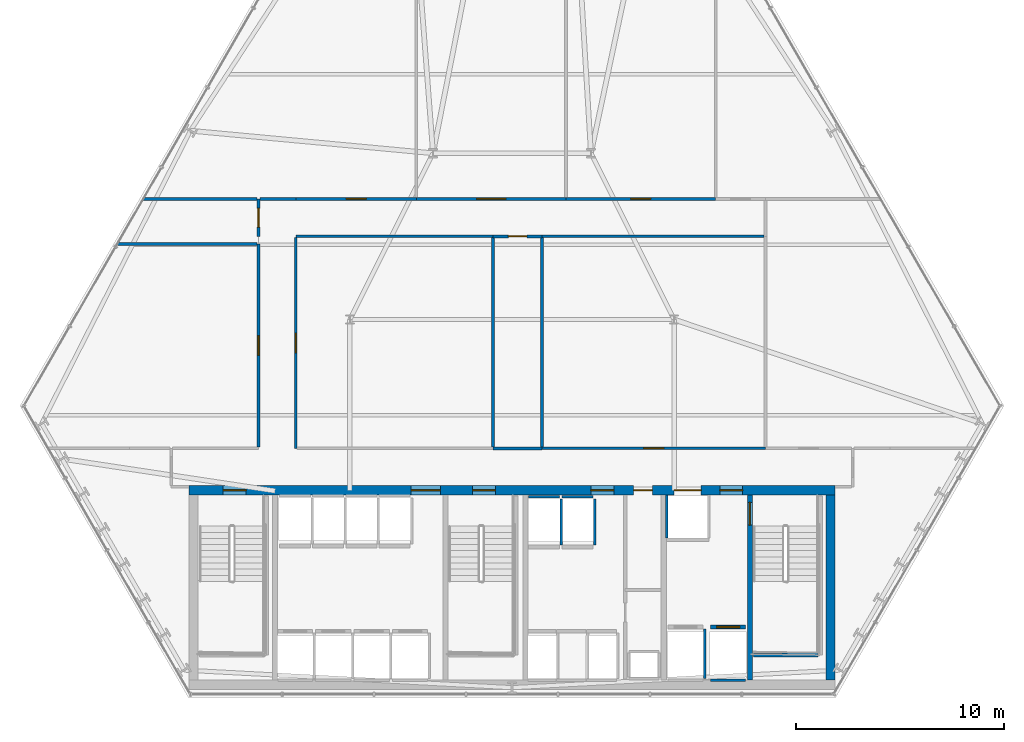
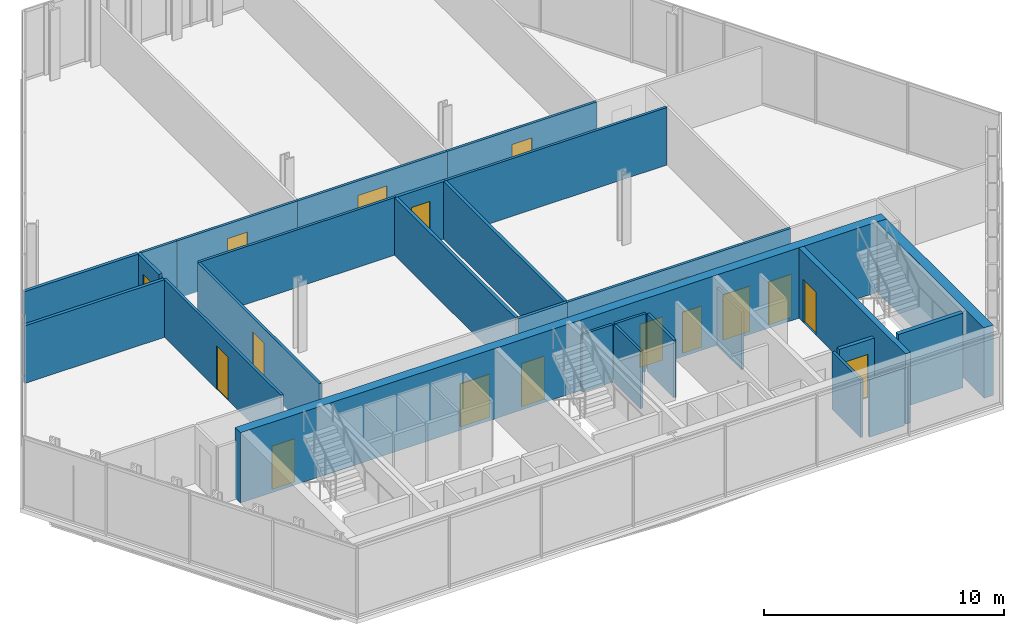
# One storey, part 28 of 32: 28 walls, 17 doors, 17 openings.
"""IFC4 building model written with IfcOpenShell, lengths in metres."""

from ifc_helpers import new_model, si_unit, direction, frame, frame_2d, origin, place, context, subcontext, project, spatial, rectangle, extrude, material, layer, layer_set, type_object, element, fill, save


model = new_model("IFC4")

# Units and contexts
model_context = context("Model", 3, precision=1e-05, world=origin(), true_north=direction((0.0, 1.0)))
body_context = subcontext(model_context, "Body", "Model", "MODEL_VIEW")
ifc_project = project(units=[si_unit("LENGTHUNIT", "METRE"), si_unit("AREAUNIT", "SQUARE_METRE"), si_unit("VOLUMEUNIT", "CUBIC_METRE"), si_unit("PLANEANGLEUNIT", "RADIAN"), si_unit("MASSUNIT", "GRAM", prefix="KILO")], contexts=[model_context])

# Site, building, storey
site_placement = place(None, origin())
site = spatial("IfcSite", under=ifc_project, at=site_placement, CompositionType="ELEMENT")
building_placement = place(site_placement, origin())
building = spatial("IfcBuilding", under=site, at=building_placement, Name="Ndaravel Arena Tower", CompositionType="ELEMENT")
storey_placement = place(building_placement, frame((0.0, 0.0, 51.199951171875)))
storey = spatial("IfcBuildingStorey", under=building, at=storey_placement, Name="L10", CompositionType="ELEMENT", Elevation=51.199951171875)

# Wall, opening, door
ifc_material_1 = material(Name="Concrete C60/75", Category="concrete")
ifc_layer_1 = layer(ifc_material_1, 0.25)
ifc_layer_set_1 = layer_set([ifc_layer_1], Name="Concrete C60/75")
wall_type_1 = type_object("IfcWallType", Name="WALL-CORE-250", PredefinedType="SOLIDWALL", material=ifc_layer_set_1)
wall_1_placement = place(storey_placement, frame((53.449951171875, 5.85009765625, 0.0), z_axis=(0.0, 0.0, 1.0), x_axis=(0.0, 1.0, 0.0)))
wall_1 = element("IfcWall", 1, at=wall_1_placement, inside=storey, type_object=wall_type_1, Name="L10 Core Web Shear Wall 5", PredefinedType="SOLIDWALL", context=body_context, shape_type="SweptSolid", body=[
    extrude(rectangle(XDim=8.89990234375, YDim=0.25, at=frame_2d((4.449951171875, 0.0))), origin(), (0.0, 0.0, 1.0), 3.580078125),
])
opening_1_placement = place(wall_1_placement, frame((7.449951171875, 0.0, 0.0)))
opening_1 = element("IfcOpeningElement", 2, at=opening_1_placement, cuts=wall_1, Name="Opening FD-01", PredefinedType="OPENING", context=body_context, shape_type="SweptSolid", body=[
    extrude(rectangle(XDim=1.10009765625, YDim=2.199951171875, at=frame_2d((0.550048828125, 1.10009765625))), frame((0.0, 0.125, 0.0), z_axis=(0.0, -1.0, 0.0), x_axis=(1.0, 0.0, 0.0)), (0.0, 0.0, 1.0), 0.25),
])
ifc_material_2 = material(Name="Steel S355", Category="steel")
door_type_1 = type_object("IfcDoorType", Name="DT-01-STAIR-1100", OperationType="SINGLE_SWING_LEFT", PredefinedType="DOOR", material=ifc_material_2)
door_1_placement = place(opening_1_placement, origin())
door_1 = element("IfcDoor", 3, at=door_1_placement, inside=storey, type_object=door_type_1, Name="L10 Firefighting Lobby to ST-3 Door", OperationType="SINGLE_SWING_LEFT", OverallHeight=2.199951171875, OverallWidth=1.10009765625, PredefinedType="DOOR", context=body_context, shape_type="SweptSolid", body=[
    extrude(rectangle(XDim=1.10009765625, YDim=2.199951171875, at=frame_2d((0.550048828125, 1.10009765625))), frame((0.0, 0.02490234375, 0.0), z_axis=(0.0, -1.0, 0.0), x_axis=(1.0, 0.0, 0.0)), (0.0, 0.0, 1.0), 0.050048828125),
])
fill(opening_1, door_1)

# Wall, openings, doors
ifc_material_3 = material(Name="Concrete C60/75", Category="concrete")
ifc_layer_2 = layer(ifc_material_3, 0.449951171875)
ifc_layer_set_2 = layer_set([ifc_layer_2], Name="Concrete C60/75")
wall_type_2 = type_object("IfcWallType", Name="WALL-CORE-450", PredefinedType="SOLIDWALL", material=ifc_layer_set_2)
wall_2_placement = place(storey_placement, frame((26.449951171875, 14.97509765625, 0.0), z_axis=(0.0, 0.0, 1.0), x_axis=(1.0, 0.0, 0.0)))
wall_2 = element("IfcWall", 4, at=wall_2_placement, inside=storey, type_object=wall_type_2, Name="L10 Core North Shear Wall", PredefinedType="SOLIDWALL", context=body_context, shape_type="SweptSolid", body=[
    extrude(rectangle(XDim=31.10009765625, YDim=0.449951171875, at=frame_2d((15.550048828125, 0.0))), origin(), (0.0, 0.0, 1.0), 3.580078125),
])
opening_2_placement = place(wall_2_placement, frame((1.64990234375, 0.0, 0.0)))
opening_2 = element("IfcOpeningElement", 5, at=opening_2_placement, cuts=wall_2, Name="Opening FD-01", PredefinedType="OPENING", context=body_context, shape_type="SweptSolid", body=[
    extrude(rectangle(XDim=1.10009765625, YDim=2.199951171875, at=frame_2d((0.550048828125, 1.10009765625))), frame((0.0, 0.22509765625, 0.0), z_axis=(0.0, -1.0, 0.0), x_axis=(1.0, 0.0, 0.0)), (0.0, 0.0, 1.0), 0.449951171875),
])
opening_3_placement = place(wall_2_placement, frame((13.64990234375, 0.0, 0.0)))
opening_3 = element("IfcOpeningElement", 6, at=opening_3_placement, cuts=wall_2, Name="Opening FD-01", PredefinedType="OPENING", context=body_context, shape_type="SweptSolid", body=[
    extrude(rectangle(XDim=1.10009765625, YDim=2.199951171875, at=frame_2d((0.550048828125, 1.10009765625))), frame((0.0, 0.22509765625, 0.0), z_axis=(0.0, -1.0, 0.0), x_axis=(1.0, 0.0, 0.0)), (0.0, 0.0, 1.0), 0.449951171875),
])
opening_4_placement = place(wall_2_placement, frame((25.550048828125, 0.0, 0.0)))
opening_4 = element("IfcOpeningElement", 7, at=opening_4_placement, cuts=wall_2, Name="Opening FD-01", PredefinedType="OPENING", context=body_context, shape_type="SweptSolid", body=[
    extrude(rectangle(XDim=1.10009765625, YDim=2.199951171875, at=frame_2d((0.550048828125, 1.10009765625))), frame((0.0, 0.22509765625, 0.0), z_axis=(0.0, -1.0, 0.0), x_axis=(1.0, 0.0, 0.0)), (0.0, 0.0, 1.0), 0.449951171875),
])
opening_5_placement = place(wall_2_placement, frame((10.699951171875, 0.0, 0.0)))
opening_5 = element("IfcOpeningElement", 8, at=opening_5_placement, cuts=wall_2, Name="Opening ID-02", PredefinedType="OPENING", context=body_context, shape_type="SweptSolid", body=[
    extrude(rectangle(XDim=1.39990234375, YDim=2.199951171875, at=frame_2d((0.699951171875, 1.10009765625))), frame((0.0, 0.22509765625, 0.0), z_axis=(0.0, -1.0, 0.0), x_axis=(1.0, 0.0, 0.0)), (0.0, 0.0, 1.0), 0.449951171875),
])
opening_6_placement = place(wall_2_placement, frame((19.35009765625, 0.0, 0.0)))
opening_6 = element("IfcOpeningElement", 9, at=opening_6_placement, cuts=wall_2, Name="Opening FD-01", PredefinedType="OPENING", context=body_context, shape_type="SweptSolid", body=[
    extrude(rectangle(XDim=1.10009765625, YDim=2.199951171875, at=frame_2d((0.550048828125, 1.10009765625))), frame((0.0, 0.22509765625, 0.0), z_axis=(0.0, -1.0, 0.0), x_axis=(1.0, 0.0, 0.0)), (0.0, 0.0, 1.0), 0.449951171875),
])
opening_7_placement = place(wall_2_placement, frame((21.39990234375, 0.0, 0.0)))
opening_7 = element("IfcOpeningElement", 10, at=opening_7_placement, cuts=wall_2, Name="Opening RD-01", PredefinedType="OPENING", context=body_context, shape_type="SweptSolid", body=[
    extrude(rectangle(XDim=0.89990234375, YDim=2.10009765625, at=frame_2d((0.449951171875, 1.050048828125))), frame((0.0, 0.22509765625, 0.0), z_axis=(0.0, -1.0, 0.0), x_axis=(1.0, 0.0, 0.0)), (0.0, 0.0, 1.0), 0.449951171875),
])
opening_8_placement = place(wall_2_placement, frame((23.35009765625, 0.0, 0.0)))
opening_8 = element("IfcOpeningElement", 11, at=opening_8_placement, cuts=wall_2, Name="Opening LD-02", PredefinedType="OPENING", context=body_context, shape_type="SweptSolid", body=[
    extrude(rectangle(XDim=1.300048828125, YDim=2.300048828125, at=frame_2d((0.64990234375, 1.14990234375))), frame((0.0, 0.22509765625, 0.0), z_axis=(0.0, -1.0, 0.0), x_axis=(1.0, 0.0, 0.0)), (0.0, 0.0, 1.0), 0.449951171875),
])
door_2_placement = place(opening_2_placement, origin())
door_2 = element("IfcDoor", 12, at=door_2_placement, inside=storey, type_object=door_type_1, Name="L10 Exit Stair ST-1 Door", OperationType="SINGLE_SWING_LEFT", OverallHeight=2.199951171875, OverallWidth=1.10009765625, PredefinedType="DOOR", context=body_context, shape_type="SweptSolid", body=[
    extrude(rectangle(XDim=1.10009765625, YDim=2.199951171875, at=frame_2d((0.550048828125, 1.10009765625))), frame((0.0, 0.02490234375, 0.0), z_axis=(0.0, -1.0, 0.0), x_axis=(1.0, 0.0, 0.0)), (0.0, 0.0, 1.0), 0.050048828125),
])
fill(opening_2, door_2)
door_3_placement = place(opening_3_placement, origin())
door_3 = element("IfcDoor", 13, at=door_3_placement, inside=storey, type_object=door_type_1, Name="L10 Exit Stair ST-2 Door", OperationType="SINGLE_SWING_RIGHT", OverallHeight=2.199951171875, OverallWidth=1.10009765625, PredefinedType="DOOR", context=body_context, shape_type="SweptSolid", body=[
    extrude(rectangle(XDim=1.10009765625, YDim=2.199951171875, at=frame_2d((0.550048828125, 1.10009765625))), frame((0.0, 0.02490234375, 0.0), z_axis=(0.0, -1.0, 0.0), x_axis=(1.0, 0.0, 0.0)), (0.0, 0.0, 1.0), 0.050048828125),
])
fill(opening_3, door_3)
door_4_placement = place(opening_4_placement, origin())
door_4 = element("IfcDoor", 14, at=door_4_placement, inside=storey, type_object=door_type_1, Name="L10 Firefighting Lift Lobby Door", OperationType="SINGLE_SWING_RIGHT", OverallHeight=2.199951171875, OverallWidth=1.10009765625, PredefinedType="DOOR", context=body_context, shape_type="SweptSolid", body=[
    extrude(rectangle(XDim=1.10009765625, YDim=2.199951171875, at=frame_2d((0.550048828125, 1.10009765625))), frame((0.0, 0.02490234375, 0.0), z_axis=(0.0, -1.0, 0.0), x_axis=(1.0, 0.0, 0.0)), (0.0, 0.0, 1.0), 0.050048828125),
])
fill(opening_4, door_4)
door_5_placement = place(opening_6_placement, origin())
door_5 = element("IfcDoor", 15, at=door_5_placement, inside=storey, type_object=door_type_1, Name="L10 Express Lift Lobby Entry Door", OperationType="SINGLE_SWING_LEFT", OverallHeight=2.199951171875, OverallWidth=1.10009765625, PredefinedType="DOOR", context=body_context, shape_type="SweptSolid", body=[
    extrude(rectangle(XDim=1.10009765625, YDim=2.199951171875, at=frame_2d((0.550048828125, 1.10009765625))), frame((0.0, 0.02490234375, 0.0), z_axis=(0.0, -1.0, 0.0), x_axis=(1.0, 0.0, 0.0)), (0.0, 0.0, 1.0), 0.050048828125),
])
fill(opening_6, door_5)
ifc_material_4 = material(Name="Timber", Category="wood")
door_type_2 = type_object("IfcDoorType", Name="DT-04-SUITE-1400", OperationType="DOUBLE_DOOR_SINGLE_SWING", PredefinedType="DOOR", material=ifc_material_4)
door_6_placement = place(opening_5_placement, origin())
door_6 = element("IfcDoor", 16, at=door_6_placement, inside=storey, type_object=door_type_2, Name="L10 West Lift Lobby Entry Door", OperationType="DOUBLE_DOOR_SINGLE_SWING", OverallHeight=2.199951171875, OverallWidth=1.39990234375, PredefinedType="DOOR", context=body_context, shape_type="SweptSolid", body=[
    extrude(rectangle(XDim=1.39990234375, YDim=2.199951171875, at=frame_2d((0.699951171875, 1.10009765625))), frame((0.0, 0.02490234375, 0.0), z_axis=(0.0, -1.0, 0.0), x_axis=(1.0, 0.0, 0.0)), (0.0, 0.0, 1.0), 0.050048828125),
])
fill(opening_5, door_6)
ifc_material_5 = material(Name="Steel S355", Category="steel")
door_type_3 = type_object("IfcDoorType", Name="DT-07-SVLIFT-1300", OperationType="DOUBLE_DOOR_SLIDING", PredefinedType="DOOR", material=ifc_material_5)
door_7_placement = place(opening_8_placement, origin())
door_7 = element("IfcDoor", 17, at=door_7_placement, inside=storey, type_object=door_type_3, Name="L10 Lift SVL-1 Sliding Landing Door", OperationType="DOUBLE_DOOR_SLIDING", OverallHeight=2.300048828125, OverallWidth=1.300048828125, PredefinedType="DOOR", context=body_context, shape_type="SweptSolid", body=[
    extrude(rectangle(XDim=1.300048828125, YDim=2.300048828125, at=frame_2d((0.64990234375, 1.14990234375))), frame((0.0, 0.02490234375, 0.0), z_axis=(0.0, -1.0, 0.0), x_axis=(1.0, 0.0, 0.0)), (0.0, 0.0, 1.0), 0.050048828125),
])
fill(opening_8, door_7)
ifc_material_6 = material(Name="Steel S355", Category="steel")
door_type_4 = type_object("IfcDoorType", Name="DT-08-RISER-900", OperationType="SINGLE_SWING_LEFT", PredefinedType="DOOR", material=ifc_material_6)
door_8_placement = place(opening_7_placement, origin())
door_8 = element("IfcDoor", 18, at=door_8_placement, inside=storey, type_object=door_type_4, Name="L10 Core Service Riser North Door", OperationType="SINGLE_SWING_LEFT", OverallHeight=2.10009765625, OverallWidth=0.89990234375, PredefinedType="DOOR", context=body_context, shape_type="SweptSolid", body=[
    extrude(rectangle(XDim=0.89990234375, YDim=2.10009765625, at=frame_2d((0.449951171875, 1.050048828125))), frame((0.0, 0.02490234375, 0.0), z_axis=(0.0, -1.0, 0.0), x_axis=(1.0, 0.0, 0.0)), (0.0, 0.0, 1.0), 0.050048828125),
])
fill(opening_7, door_8)

# Wall
wall_3_placement = place(storey_placement, frame((57.324951171875, 5.85009765625, 0.0), z_axis=(0.0, 0.0, 1.0), x_axis=(0.0, 1.0, 0.0)))
element("IfcWall", 19, at=wall_3_placement, inside=storey, type_object=wall_type_2, Name="L10 Core East Shear Wall", PredefinedType="SOLIDWALL", context=body_context, shape_type="SweptSolid", body=[
    extrude(rectangle(XDim=8.89990234375, YDim=0.449951171875, at=frame_2d((4.449951171875, 0.0))), origin(), (0.0, 0.0, 1.0), 3.580078125),
])

# Wall, opening, door
ifc_material_7 = material(Name="Gypsum", Category="gypsum")
ifc_layer_3 = layer(ifc_material_7, 0.125)
ifc_layer_set_3 = layer_set([ifc_layer_3], Name="Gypsum")
wall_type_3 = type_object("IfcWallType", Name="WALL-PART-125", PredefinedType="PARTITIONING", material=ifc_layer_set_3)
wall_4_placement = place(storey_placement, frame((29.800048828125, 17.06494140625, 0.0), z_axis=(0.0, 0.0, 1.0), x_axis=(0.0, 1.0, 0.0)))
wall_4 = element("IfcWall", 20, at=wall_4_placement, inside=storey, type_object=wall_type_3, Name="L10 Interior Partition 006", PredefinedType="PARTITIONING", context=body_context, shape_type="SweptSolid", body=[
    extrude(rectangle(XDim=9.775146484375, YDim=0.125, at=frame_2d((4.8876953125, 0.0))), origin(), (0.0, 0.0, 1.0), 2.932861328125),
])
opening_9_placement = place(wall_4_placement, frame((4.41259765625, 0.0, 0.0)))
opening_9 = element("IfcOpeningElement", 21, at=opening_9_placement, cuts=wall_4, Name="Opening ID-01", PredefinedType="OPENING", context=body_context, shape_type="SweptSolid", body=[
    extrude(rectangle(XDim=0.949951171875, YDim=2.199951171875, at=frame_2d((0.47509765625, 1.10009765625))), frame((0.0, 0.0625, 0.0), z_axis=(0.0, -1.0, 0.0), x_axis=(1.0, 0.0, 0.0)), (0.0, 0.0, 1.0), 0.125),
])
ifc_material_8 = material(Name="Timber", Category="wood")
door_type_5 = type_object("IfcDoorType", Name="DT-03-OFFICE-950", OperationType="SINGLE_SWING_LEFT", PredefinedType="DOOR", material=ifc_material_8)
door_9_placement = place(opening_9_placement, origin())
door_9 = element("IfcDoor", 22, at=door_9_placement, inside=storey, type_object=door_type_5, Name="L10 Quiet Reading Library Door", OperationType="SINGLE_SWING_LEFT", OverallHeight=2.199951171875, OverallWidth=0.949951171875, PredefinedType="DOOR", context=body_context, shape_type="SweptSolid", body=[
    extrude(rectangle(XDim=0.949951171875, YDim=2.199951171875, at=frame_2d((0.47509765625, 1.10009765625))), frame((0.0, 0.02490234375, 0.0), z_axis=(0.0, -1.0, 0.0), x_axis=(1.0, 0.0, 0.0)), (0.0, 0.0, 1.0), 0.050048828125),
])
fill(opening_9, door_9)

# Wall
wall_5_placement = place(storey_placement, frame((29.864990234375, 29.0, 0.0), z_axis=(0.0, 0.0, 1.0), x_axis=(1.0, 0.0, 0.0)))
element("IfcWall", 23, at=wall_5_placement, inside=storey, type_object=wall_type_3, Name="L10 Interior Partition 008", PredefinedType="PARTITIONING", context=body_context, shape_type="SweptSolid", body=[
    extrude(rectangle(XDim=1.735107421875, YDim=0.125, at=frame_2d((0.86767578125, 0.0))), origin(), (0.0, 0.0, 1.0), 2.932861328125),
])

# Wall, opening, door
wall_6_placement = place(storey_placement, frame((31.60009765625, 29.0, 0.0), z_axis=(0.0, 0.0, 1.0), x_axis=(1.0, 0.0, 0.0)))
wall_6 = element("IfcWall", 24, at=wall_6_placement, inside=storey, type_object=wall_type_3, Name="L10 Interior Partition 009", PredefinedType="PARTITIONING", context=body_context, shape_type="SweptSolid", body=[
    extrude(rectangle(XDim=5.7998046875, YDim=0.125, at=frame_2d((2.89990234375, 0.0))), origin(), (0.0, 0.0, 1.0), 2.932861328125),
])
opening_10_placement = place(wall_6_placement, frame((2.425048828125, 0.0, 0.0)))
opening_10 = element("IfcOpeningElement", 25, at=opening_10_placement, cuts=wall_6, Name="Opening ID-01", PredefinedType="OPENING", context=body_context, shape_type="SweptSolid", body=[
    extrude(rectangle(XDim=0.949951171875, YDim=2.199951171875, at=frame_2d((0.47509765625, 1.10009765625))), frame((0.0, 0.0625, 0.0), z_axis=(0.0, -1.0, 0.0), x_axis=(1.0, 0.0, 0.0)), (0.0, 0.0, 1.0), 0.125),
])
door_10_placement = place(opening_10_placement, origin())
door_10 = element("IfcDoor", 26, at=door_10_placement, inside=storey, type_object=door_type_5, Name="L10 Quiet Study Room 3 Door", OperationType="SINGLE_SWING_RIGHT", OverallHeight=2.199951171875, OverallWidth=0.949951171875, PredefinedType="DOOR", context=body_context, shape_type="SweptSolid", body=[
    extrude(rectangle(XDim=0.949951171875, YDim=2.199951171875, at=frame_2d((0.47509765625, 1.10009765625))), frame((0.0, 0.02490234375, 0.0), z_axis=(0.0, -1.0, 0.0), x_axis=(1.0, 0.0, 0.0)), (0.0, 0.0, 1.0), 0.050048828125),
])
fill(opening_10, door_10)

wall_7_placement = place(storey_placement, frame((37.39990234375, 29.0, 0.0), z_axis=(0.0, 0.0, 1.0), x_axis=(1.0, 0.0, 0.0)))
wall_7 = element("IfcWall", 27, at=wall_7_placement, inside=storey, type_object=wall_type_3, Name="L10 Interior Partition 010", PredefinedType="PARTITIONING", context=body_context, shape_type="SweptSolid", body=[
    extrude(rectangle(XDim=7.2001953125, YDim=0.125, at=frame_2d((3.60009765625, 0.0))), origin(), (0.0, 0.0, 1.0), 2.932861328125),
])
opening_11_placement = place(wall_7_placement, frame((2.89990234375, 0.0, 0.0)))
opening_11 = element("IfcOpeningElement", 28, at=opening_11_placement, cuts=wall_7, Name="Opening ID-02", PredefinedType="OPENING", context=body_context, shape_type="SweptSolid", body=[
    extrude(rectangle(XDim=1.39990234375, YDim=2.199951171875, at=frame_2d((0.699951171875, 1.10009765625))), frame((0.0, 0.0625, 0.0), z_axis=(0.0, -1.0, 0.0), x_axis=(1.0, 0.0, 0.0)), (0.0, 0.0, 1.0), 0.125),
])
door_11_placement = place(opening_11_placement, origin())
door_11 = element("IfcDoor", 29, at=door_11_placement, inside=storey, type_object=door_type_2, Name="L10 Executive Dining Lounge 4 Door", OperationType="SINGLE_SWING_RIGHT", OverallHeight=2.199951171875, OverallWidth=1.39990234375, PredefinedType="DOOR", context=body_context, shape_type="SweptSolid", body=[
    extrude(rectangle(XDim=1.39990234375, YDim=2.199951171875, at=frame_2d((0.699951171875, 1.10009765625))), frame((0.0, 0.02490234375, 0.0), z_axis=(0.0, -1.0, 0.0), x_axis=(1.0, 0.0, 0.0)), (0.0, 0.0, 1.0), 0.050048828125),
])
fill(opening_11, door_11)

wall_8_placement = place(storey_placement, frame((44.60009765625, 29.0, 0.0), z_axis=(0.0, 0.0, 1.0), x_axis=(1.0, 0.0, 0.0)))
wall_8 = element("IfcWall", 30, at=wall_8_placement, inside=storey, type_object=wall_type_3, Name="L10 Interior Partition 011", PredefinedType="PARTITIONING", context=body_context, shape_type="SweptSolid", body=[
    extrude(rectangle(XDim=7.199951171875, YDim=0.125, at=frame_2d((3.60009765625, 0.0))), origin(), (0.0, 0.0, 1.0), 2.932861328125),
])
opening_12_placement = place(wall_8_placement, frame((3.125, 0.0, 0.0)))
opening_12 = element("IfcOpeningElement", 31, at=opening_12_placement, cuts=wall_8, Name="Opening ID-01", PredefinedType="OPENING", context=body_context, shape_type="SweptSolid", body=[
    extrude(rectangle(XDim=0.949951171875, YDim=2.199951171875, at=frame_2d((0.47509765625, 1.10009765625))), frame((0.0, 0.0625, 0.0), z_axis=(0.0, -1.0, 0.0), x_axis=(1.0, 0.0, 0.0)), (0.0, 0.0, 1.0), 0.125),
])
door_12_placement = place(opening_12_placement, origin())
door_12 = element("IfcDoor", 32, at=door_12_placement, inside=storey, type_object=door_type_5, Name="L10 Executive Corner Office 4 Door", OperationType="SINGLE_SWING_LEFT", OverallHeight=2.199951171875, OverallWidth=0.949951171875, PredefinedType="DOOR", context=body_context, shape_type="SweptSolid", body=[
    extrude(rectangle(XDim=0.949951171875, YDim=2.199951171875, at=frame_2d((0.47509765625, 1.10009765625))), frame((0.0, 0.02490234375, 0.0), z_axis=(0.0, -1.0, 0.0), x_axis=(1.0, 0.0, 0.0)), (0.0, 0.0, 1.0), 0.050048828125),
])
fill(opening_12, door_12)

# Walls
wall_9_placement = place(storey_placement, frame((54.135009765625, 27.199951171875, 0.0), z_axis=(0.0, 0.0, 1.0), x_axis=(-1.0, 0.0, 0.0)))
element("IfcWall", 33, at=wall_9_placement, inside=storey, type_object=wall_type_3, Name="L10 Interior Partition 014", PredefinedType="PARTITIONING", context=body_context, shape_type="SweptSolid", body=[
    extrude(rectangle(XDim=10.68359375, YDim=0.125, at=frame_2d((5.341796875, 0.0))), origin(), (0.0, 0.0, 1.0), 2.932861328125),
])
wall_10_placement = place(storey_placement, frame((41.092041015625, 27.199951171875, 0.0), z_axis=(0.0, 0.0, 1.0), x_axis=(-1.0, 0.0, 0.0)))
element("IfcWall", 34, at=wall_10_placement, inside=storey, type_object=wall_type_3, Name="L10 Interior Partition 016", PredefinedType="PARTITIONING", context=body_context, shape_type="SweptSolid", body=[
    extrude(rectangle(XDim=9.491943359375, YDim=0.125, at=frame_2d((4.74609375, 0.0))), origin(), (0.0, 0.0, 1.0), 2.932861328125),
])

# Wall, opening, door
wall_11_placement = place(storey_placement, frame((31.60009765625, 27.135009765625, 0.0), z_axis=(0.0, 0.0, 1.0), x_axis=(0.0, -1.0, 0.0)))
wall_11 = element("IfcWall", 35, at=wall_11_placement, inside=storey, type_object=wall_type_3, Name="L10 Interior Partition 017", PredefinedType="PARTITIONING", context=body_context, shape_type="SweptSolid", body=[
    extrude(rectangle(XDim=10.135009765625, YDim=0.125, at=frame_2d((5.0673828125, 0.0))), origin(), (0.0, 0.0, 1.0), 2.932861328125),
])
opening_13_placement = place(wall_11_placement, frame((4.592529296875, 0.0, 0.0)))
opening_13 = element("IfcOpeningElement", 36, at=opening_13_placement, cuts=wall_11, Name="Opening ID-01", PredefinedType="OPENING", context=body_context, shape_type="SweptSolid", body=[
    extrude(rectangle(XDim=0.949951171875, YDim=2.199951171875, at=frame_2d((0.47509765625, 1.10009765625))), frame((0.0, 0.0625, 0.0), z_axis=(0.0, -1.0, 0.0), x_axis=(1.0, 0.0, 0.0)), (0.0, 0.0, 1.0), 0.125),
])
door_13_placement = place(opening_13_placement, origin())
door_13 = element("IfcDoor", 37, at=door_13_placement, inside=storey, type_object=door_type_5, Name="L10 Design Bookshop Boutique Door", OperationType="SINGLE_SWING_RIGHT", OverallHeight=2.199951171875, OverallWidth=0.949951171875, PredefinedType="DOOR", context=body_context, shape_type="SweptSolid", body=[
    extrude(rectangle(XDim=0.949951171875, YDim=2.199951171875, at=frame_2d((0.47509765625, 1.10009765625))), frame((0.0, 0.02490234375, 0.0), z_axis=(0.0, -1.0, 0.0), x_axis=(1.0, 0.0, 0.0)), (0.0, 0.0, 1.0), 0.050048828125),
])
fill(opening_13, door_13)

wall_12_placement = place(storey_placement, frame((43.451416015625, 17.0, 0.0), z_axis=(0.0, 0.0, 1.0), x_axis=(1.0, 0.0, 0.0)))
wall_12 = element("IfcWall", 38, at=wall_12_placement, inside=storey, type_object=wall_type_3, Name="L10 Interior Partition 020", PredefinedType="PARTITIONING", context=body_context, shape_type="SweptSolid", body=[
    extrude(rectangle(XDim=10.74853515625, YDim=0.125, at=frame_2d((5.374267578125, 0.0))), origin(), (0.0, 0.0, 1.0), 2.932861328125),
])
opening_14_placement = place(wall_12_placement, frame((4.8994140625, 0.0, 0.0)))
opening_14 = element("IfcOpeningElement", 39, at=opening_14_placement, cuts=wall_12, Name="Opening ID-01", PredefinedType="OPENING", context=body_context, shape_type="SweptSolid", body=[
    extrude(rectangle(XDim=0.949951171875, YDim=2.199951171875, at=frame_2d((0.47509765625, 1.10009765625))), frame((0.0, 0.0625, 0.0), z_axis=(0.0, -1.0, 0.0), x_axis=(1.0, 0.0, 0.0)), (0.0, 0.0, 1.0), 0.125),
])
door_14_placement = place(opening_14_placement, origin())
door_14 = element("IfcDoor", 40, at=door_14_placement, inside=storey, type_object=door_type_5, Name="L10 Cellular Partner Office 2 Door", OperationType="SINGLE_SWING_RIGHT", OverallHeight=2.199951171875, OverallWidth=0.949951171875, PredefinedType="DOOR", context=body_context, shape_type="SweptSolid", body=[
    extrude(rectangle(XDim=0.949951171875, YDim=2.199951171875, at=frame_2d((0.47509765625, 1.10009765625))), frame((0.0, 0.02490234375, 0.0), z_axis=(0.0, -1.0, 0.0), x_axis=(1.0, 0.0, 0.0)), (0.0, 0.0, 1.0), 0.050048828125),
])
fill(opening_14, door_14)

# Walls
ifc_material_9 = material(Name="Concrete C40/50", Category="concrete")
ifc_layer_4 = layer(ifc_material_9, 0.1201171875)
ifc_layer_set_4 = layer_set([ifc_layer_4], Name="Concrete C40/50")
wall_type_4 = type_object("IfcWallType", Name="WALL-SHAFT-120", PredefinedType="SOLIDWALL", material=ifc_layer_set_4)
wall_13_placement = place(storey_placement, frame((42.804931640625, 14.659912109375, 0.0), z_axis=(0.0, 0.0, 1.0), x_axis=(1.0, 0.0, 0.0)))
element("IfcWall", 41, at=wall_13_placement, inside=storey, type_object=wall_type_4, Name="L10 PL-OBS1 Shaft Rear Wall", PredefinedType="SOLIDWALL", context=body_context, shape_type="SweptSolid", body=[
    extrude(rectangle(XDim=1.489990234375, YDim=0.1201171875, at=frame_2d((0.7451171875, 0.0))), origin(), (0.0, 0.0, 1.0), 2.932861328125),
])
wall_14_placement = place(storey_placement, frame((44.375, 12.340087890625, 0.0), z_axis=(0.0, 0.0, 1.0), x_axis=(0.0, 1.0, 0.0)))
element("IfcWall", 42, at=wall_14_placement, inside=storey, type_object=wall_type_4, Name="L10 PL-OBS1 Shaft Side R Wall", PredefinedType="SOLIDWALL", context=body_context, shape_type="SweptSolid", body=[
    extrude(rectangle(XDim=2.22998046875, YDim=0.1201171875, at=frame_2d((1.114990234375, 0.0))), origin(), (0.0, 0.0, 1.0), 2.932861328125),
])
wall_15_placement = place(storey_placement, frame((44.405029296875, 14.659912109375, 0.0), z_axis=(0.0, 0.0, 1.0), x_axis=(1.0, 0.0, 0.0)))
element("IfcWall", 43, at=wall_15_placement, inside=storey, type_object=wall_type_4, Name="L10 PL-OBS2 Shaft Rear Wall", PredefinedType="SOLIDWALL", context=body_context, shape_type="SweptSolid", body=[
    extrude(rectangle(XDim=1.489990234375, YDim=0.1201171875, at=frame_2d((0.7451171875, 0.0))), origin(), (0.0, 0.0, 1.0), 2.932861328125),
])
wall_16_placement = place(storey_placement, frame((45.97509765625, 12.340087890625, 0.0), z_axis=(0.0, 0.0, 1.0), x_axis=(0.0, 1.0, 0.0)))
element("IfcWall", 44, at=wall_16_placement, inside=storey, type_object=wall_type_4, Name="L10 PL-OBS2 Shaft Side R Wall", PredefinedType="SOLIDWALL", context=body_context, shape_type="SweptSolid", body=[
    extrude(rectangle(XDim=2.22998046875, YDim=0.1201171875, at=frame_2d((1.114990234375, 0.0))), origin(), (0.0, 0.0, 1.0), 2.932861328125),
])
wall_17_placement = place(storey_placement, frame((51.27490234375, 5.929931640625, 0.0), z_axis=(0.0, 0.0, 1.0), x_axis=(0.0, 1.0, 0.0)))
element("IfcWall", 45, at=wall_17_placement, inside=storey, type_object=wall_type_4, Name="L10 FFL-1 Shaft Side R Wall", PredefinedType="SOLIDWALL", context=body_context, shape_type="SweptSolid", body=[
    extrude(rectangle(XDim=2.380126953125, YDim=0.1201171875, at=frame_2d((1.18994140625, 0.0))), origin(), (0.0, 0.0, 1.0), 2.932861328125),
])
wall_18_placement = place(storey_placement, frame((51.554931640625, 5.840087890625, 0.0), z_axis=(0.0, 0.0, 1.0), x_axis=(1.0, 0.0, 0.0)))
element("IfcWall", 46, at=wall_18_placement, inside=storey, type_object=wall_type_4, Name="L10 FFL-2 Shaft Rear Wall", PredefinedType="SOLIDWALL", context=body_context, shape_type="SweptSolid", body=[
    extrude(rectangle(XDim=1.690185546875, YDim=0.1201171875, at=frame_2d((0.84521484375, 0.0))), origin(), (0.0, 0.0, 1.0), 2.932861328125),
])
wall_19_placement = place(storey_placement, frame((49.43994140625, 12.68994140625, 0.0), z_axis=(0.0, 0.0, 1.0), x_axis=(0.0, 1.0, 0.0)))
element("IfcWall", 47, at=wall_19_placement, inside=storey, type_object=wall_type_4, Name="L10 SVL-1 Shaft W Wall", PredefinedType="SOLIDWALL", context=body_context, shape_type="SweptSolid", body=[
    extrude(rectangle(XDim=2.070068359375, YDim=0.1201171875, at=frame_2d((1.03515625, 0.0))), origin(), (0.0, 0.0, 1.0), 2.932861328125),
])
ifc_material_10 = material(Name="Concrete C40/50", Category="concrete")
ifc_layer_5 = layer(ifc_material_10, 0.199951171875)
ifc_layer_set_5 = layer_set([ifc_layer_5], Name="Concrete C40/50")
wall_type_5 = type_object("IfcWallType", Name="WALL-SHAFT-200", PredefinedType="SOLIDWALL", material=ifc_layer_set_5)
wall_20_placement = place(storey_placement, frame((53.6201171875, 7.050048828125, 0.0), z_axis=(0.0, 0.0, 1.0), x_axis=(1.0, 0.0, 0.0)))
element("IfcWall", 48, at=wall_20_placement, inside=storey, type_object=wall_type_5, Name="L10 ST-3 Structural Shaft Wall Far", PredefinedType="SOLIDWALL", context=body_context, shape_type="SweptSolid", body=[
    extrude(rectangle(XDim=3.114990234375, YDim=0.199951171875, at=frame_2d((1.5576171875, 0.0))), origin(), (0.0, 0.0, 1.0), 3.800048828125),
])

# Wall, opening, door
wall_21_placement = place(storey_placement, frame((51.554931640625, 8.39990234375, 0.0), z_axis=(0.0, 0.0, 1.0), x_axis=(1.0, 0.0, 0.0)))
wall_21 = element("IfcWall", 49, at=wall_21_placement, inside=storey, type_object=wall_type_5, Name="L10 FFL-2 Shaft Landing Wall", PredefinedType="SOLIDWALL", context=body_context, shape_type="SweptSolid", body=[
    extrude(rectangle(XDim=1.690185546875, YDim=0.179931640625, at=frame_2d((0.84521484375, 0.0))), origin(), (0.0, 0.0, 1.0), 2.932861328125),
])
opening_15_placement = place(wall_21_placement, frame((0.294921875, 0.0, 0.0)))
opening_15 = element("IfcOpeningElement", 50, at=opening_15_placement, cuts=wall_21, Name="Opening LD-01", PredefinedType="OPENING", context=body_context, shape_type="SweptSolid", body=[
    extrude(rectangle(XDim=1.10009765625, YDim=2.199951171875, at=frame_2d((0.550048828125, 1.10009765625))), frame((0.0, 0.08984375, 0.0), z_axis=(0.0, -1.0, 0.0), x_axis=(1.0, 0.0, 0.0)), (0.0, 0.0, 1.0), 0.179931640625),
])
ifc_material_11 = material(Name="Steel S355", Category="steel")
door_type_6 = type_object("IfcDoorType", Name="DT-06-LIFT-1100", OperationType="SLIDING_TO_LEFT", PredefinedType="DOOR", material=ifc_material_11)
door_15_placement = place(opening_15_placement, origin())
door_15 = element("IfcDoor", 51, at=door_15_placement, inside=storey, type_object=door_type_6, Name="L10 Lift FFL-2 Sliding Landing Door", OperationType="SLIDING_TO_LEFT", OverallHeight=2.199951171875, OverallWidth=1.10009765625, PredefinedType="DOOR", context=body_context, shape_type="SweptSolid", body=[
    extrude(rectangle(XDim=1.10009765625, YDim=2.199951171875, at=frame_2d((0.550048828125, 1.10009765625))), frame((0.0, 0.02490234375, 0.0), z_axis=(0.0, -1.0, 0.0), x_axis=(1.0, 0.0, 0.0)), (0.0, 0.0, 1.0), 0.050048828125),
])
fill(opening_15, door_15)

ifc_material_12 = material(Name="Masonry", Category="masonry")
ifc_layer_6 = layer(ifc_material_12, 0.14990234375)
ifc_layer_set_6 = layer_set([ifc_layer_6], Name="Masonry")
wall_type_6 = type_object("IfcWallType", Name="WALL-WET-150", PredefinedType="PARTITIONING", material=ifc_layer_set_6)
wall_22_placement = place(storey_placement, frame((29.800048828125, 27.199951171875, 0.0), z_axis=(0.0, 0.0, 1.0), x_axis=(0.0, 1.0, 0.0)))
wall_22 = element("IfcWall", 52, at=wall_22_placement, inside=storey, type_object=wall_type_6, Name="L10 Interior Partition 007", PredefinedType="PARTITIONING", context=body_context, shape_type="SweptSolid", body=[
    extrude(rectangle(XDim=1.800048828125, YDim=0.14990234375, at=frame_2d((0.89990234375, 0.0))), origin(), (0.0, 0.0, 1.0), 2.932861328125),
])
opening_16_placement = place(wall_22_placement, frame((0.449951171875, 0.0, 0.0)))
opening_16 = element("IfcOpeningElement", 53, at=opening_16_placement, cuts=wall_22, Name="Opening WD-01", PredefinedType="OPENING", context=body_context, shape_type="SweptSolid", body=[
    extrude(rectangle(XDim=0.89990234375, YDim=2.14990234375, at=frame_2d((0.449951171875, 1.074951171875))), frame((0.0, 0.074951171875, 0.0), z_axis=(0.0, -1.0, 0.0), x_axis=(1.0, 0.0, 0.0)), (0.0, 0.0, 1.0), 0.14990234375),
])
ifc_material_13 = material(Name="Timber", Category="wood")
door_type_7 = type_object("IfcDoorType", Name="DT-05-WC-900", OperationType="SINGLE_SWING_LEFT", PredefinedType="DOOR", material=ifc_material_13)
door_16_placement = place(opening_16_placement, origin())
door_16 = element("IfcDoor", 54, at=door_16_placement, inside=storey, type_object=door_type_7, Name="L10 Female & Accessible Restroom Door", OperationType="SINGLE_SWING_RIGHT", OverallHeight=2.14990234375, OverallWidth=0.89990234375, PredefinedType="DOOR", context=body_context, shape_type="SweptSolid", body=[
    extrude(rectangle(XDim=0.89990234375, YDim=2.14990234375, at=frame_2d((0.449951171875, 1.074951171875))), frame((0.0, 0.02490234375, 0.0), z_axis=(0.0, -1.0, 0.0), x_axis=(1.0, 0.0, 0.0)), (0.0, 0.0, 1.0), 0.050048828125),
])
fill(opening_16, door_16)

wall_23_placement = place(storey_placement, frame((43.451416015625, 27.199951171875, 0.0), z_axis=(0.0, 0.0, 1.0), x_axis=(-1.0, 0.0, 0.0)))
wall_23 = element("IfcWall", 55, at=wall_23_placement, inside=storey, type_object=wall_type_6, Name="L10 Interior Partition 015", PredefinedType="PARTITIONING", context=body_context, shape_type="SweptSolid", body=[
    extrude(rectangle(XDim=2.359375, YDim=0.14990234375, at=frame_2d((1.1796875, 0.0))), origin(), (0.0, 0.0, 1.0), 2.932861328125),
])
opening_17_placement = place(wall_23_placement, frame((0.729736328125, 0.0, 0.0)))
opening_17 = element("IfcOpeningElement", 56, at=opening_17_placement, cuts=wall_23, Name="Opening WD-01", PredefinedType="OPENING", context=body_context, shape_type="SweptSolid", body=[
    extrude(rectangle(XDim=0.89990234375, YDim=2.14990234375, at=frame_2d((0.449951171875, 1.074951171875))), frame((0.0, 0.074951171875, 0.0), z_axis=(0.0, -1.0, 0.0), x_axis=(1.0, 0.0, 0.0)), (0.0, 0.0, 1.0), 0.14990234375),
])
door_17_placement = place(opening_17_placement, origin())
door_17 = element("IfcDoor", 57, at=door_17_placement, inside=storey, type_object=door_type_7, Name="L10 Male Staff & Visitor Restroom Door", OperationType="SINGLE_SWING_LEFT", OverallHeight=2.14990234375, OverallWidth=0.89990234375, PredefinedType="DOOR", context=body_context, shape_type="SweptSolid", body=[
    extrude(rectangle(XDim=0.89990234375, YDim=2.14990234375, at=frame_2d((0.449951171875, 1.074951171875))), frame((0.0, 0.02490234375, 0.0), z_axis=(0.0, -1.0, 0.0), x_axis=(1.0, 0.0, 0.0)), (0.0, 0.0, 1.0), 0.050048828125),
])
fill(opening_17, door_17)

# Walls
wall_24_placement = place(storey_placement, frame((41.092041015625, 17.0, 0.0), z_axis=(0.0, 0.0, 1.0), x_axis=(1.0, 0.0, 0.0)))
element("IfcWall", 58, at=wall_24_placement, inside=storey, type_object=wall_type_6, Name="L10 Interior Partition 019", PredefinedType="PARTITIONING", context=body_context, shape_type="SweptSolid", body=[
    extrude(rectangle(XDim=2.359375, YDim=0.14990234375, at=frame_2d((1.1796875, 0.0))), origin(), (0.0, 0.0, 1.0), 2.932861328125),
])
wall_25_placement = place(storey_placement, frame((23.010498046875, 26.840087890625, 0.0), z_axis=(0.0, 0.0, 1.0), x_axis=(1.0, 0.0, 0.0)))
element("IfcWall", 59, at=wall_25_placement, inside=storey, type_object=wall_type_6, Name="L10 Interior Partition 026", PredefinedType="PARTITIONING", context=body_context, shape_type="SweptSolid", body=[
    extrude(rectangle(XDim=6.724609375, YDim=0.14990234375, at=frame_2d((3.3623046875, 0.0))), origin(), (0.0, 0.0, 1.0), 2.932861328125),
])
for number, where, z_axis, x_axis, name in (
    (60, (41.092041015625, 27.135009765625, 0.0), (0.0, 0.0, 1.0), (0.0, -1.0, 0.0), "L10 Interior Partition 027"),
    (61, (43.451416015625, 27.135009765625, 0.0), (0.0, 0.0, 1.0), (0.0, -1.0, 0.0), "L10 Interior Partition 028"),
):
    element("IfcWall", number, at=place(storey_placement, frame(where, z_axis=z_axis, x_axis=x_axis)), inside=storey, type_object=wall_type_6, Name=name, PredefinedType="PARTITIONING", context=body_context, shape_type="SweptSolid", body=[
        extrude(rectangle(XDim=10.070068359375, YDim=0.14990234375, at=frame_2d((5.03515625, 0.0))), origin(), (0.0, 0.0, 1.0), 2.932861328125),
    ])
wall_26_placement = place(storey_placement, frame((24.257568359375, 29.0, 0.0), z_axis=(0.0, 0.0, 1.0), x_axis=(1.0, 0.0, 0.0)))
element("IfcWall", 62, at=wall_26_placement, inside=storey, type_object=wall_type_6, Name="L10 Interior Partition 031", PredefinedType="PARTITIONING", context=body_context, shape_type="SweptSolid", body=[
    extrude(rectangle(XDim=5.4775390625, YDim=0.14990234375, at=frame_2d((2.73876953125, 0.0))), origin(), (0.0, 0.0, 1.0), 2.932861328125),
])

save(model, "model.ifc")
